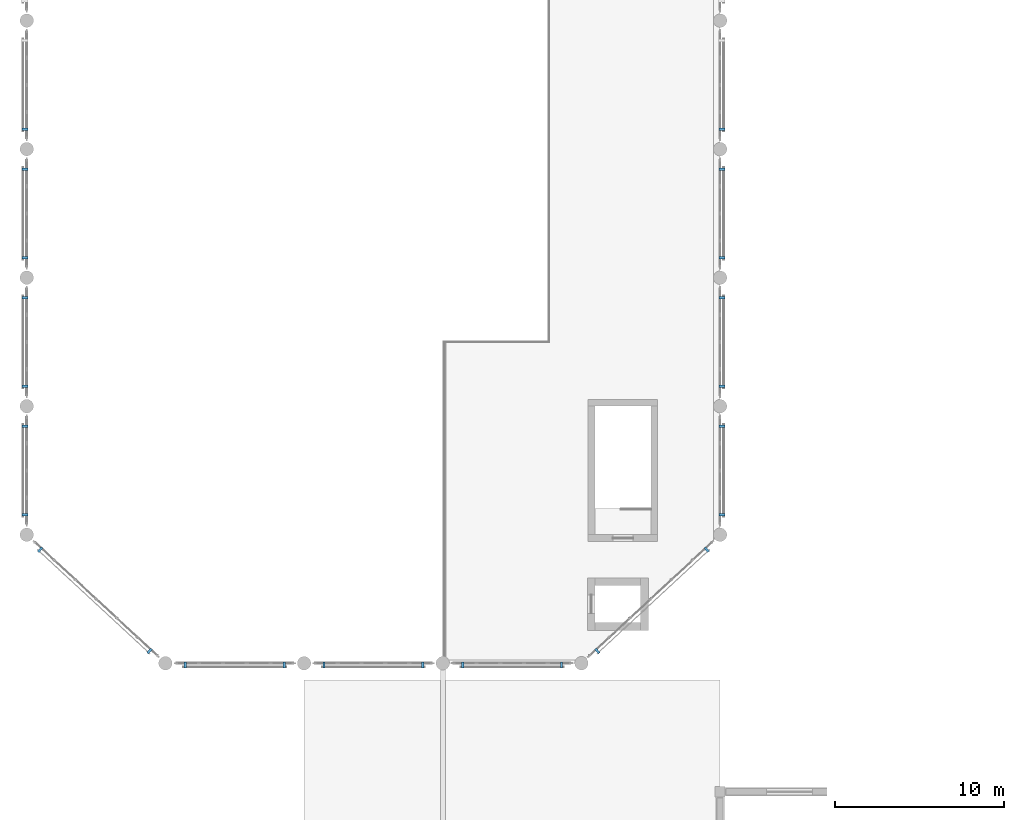
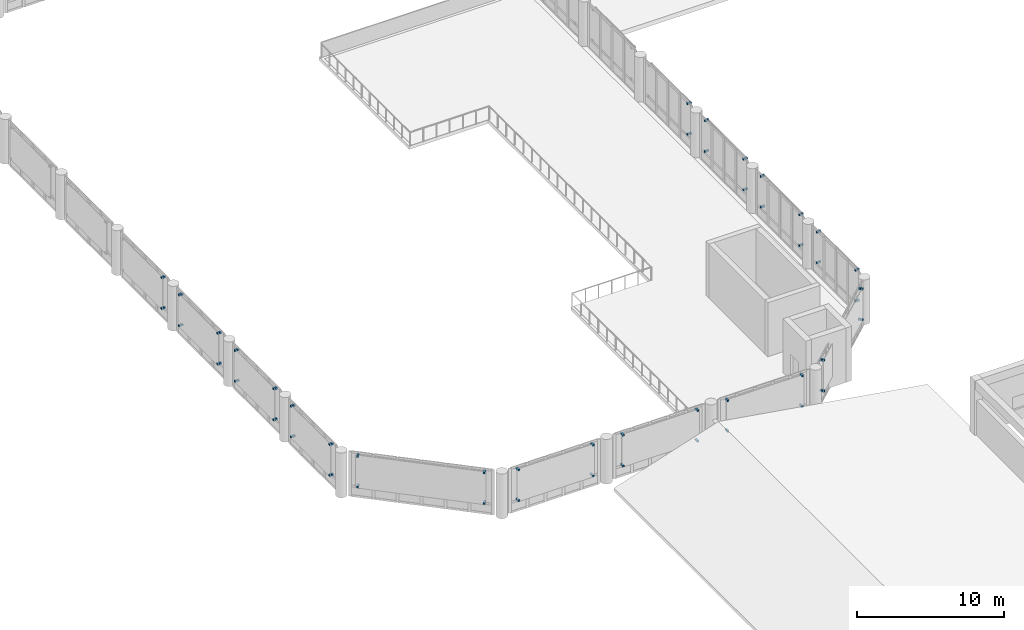
# One storey, part 41 of 49: 48 discrete accessories.
"""IFC4 building model written with IfcOpenShell, lengths in metres."""

from ifc_helpers import new_model, si_unit, direction, frame, origin, origin_2d, place, context, subcontext, project, spatial, rectangle, extrude, material, type_object, element, save


model = new_model("IFC4")

# Units and contexts
model_context = context("Model", 3, precision=1e-05, world=origin(), true_north=direction((0.0, 1.0)))
body_context = subcontext(model_context, "Body", "Model", "MODEL_VIEW")
ifc_project = project(units=[si_unit("LENGTHUNIT", "METRE"), si_unit("AREAUNIT", "SQUARE_METRE"), si_unit("VOLUMEUNIT", "CUBIC_METRE"), si_unit("PLANEANGLEUNIT", "RADIAN"), si_unit("MASSUNIT", "GRAM", prefix="KILO")], contexts=[model_context])

# Site, building, storey
site_placement = place(None, origin())
site = spatial("IfcSite", under=ifc_project, at=site_placement, CompositionType="ELEMENT")
building_placement = place(site_placement, origin())
building = spatial("IfcBuilding", under=site, at=building_placement, Name="Qandaris Square Conservatory and Botanical Centre", CompositionType="ELEMENT")
storey_placement = place(building_placement, frame((0.0, 0.0, 10.199951171875)))
storey = spatial("IfcBuildingStorey", under=building, at=storey_placement, Name="L02", CompositionType="ELEMENT", Elevation=10.199951171875)

# Discrete accessories
ifc_material = material(Name="Steel S355", Category="steel")
discrete_accessory_type = type_object("IfcDiscreteAccessoryType", Name="Mashrabiya Support Outrigger Bracket", PredefinedType="BRACKET", material=ifc_material)
for number, where, z_axis, x_axis, name in (
    (1, (25.580078125, 46.889892578125, 0.89990234375), (0.0, 0.0, 1.0), (1.0, 0.0, 0.0), "Mashrabiya Bracket CW-CON-L02-1-1-BRK-6-112"),
    (2, (25.580078125, 46.889892578125, 3.4501953125), (0.0, 0.0, 1.0), (1.0, 0.0, 0.0), "Mashrabiya Bracket CW-CON-L02-1-1-BRK-6-137"),
    (3, (31.419921875, 46.889892578125, 0.89990234375), (0.0, 0.0, 1.0), (1.0, 0.0, 0.0), "Mashrabiya Bracket CW-CON-L02-1-1-BRK-64-112"),
    (4, (31.419921875, 46.889892578125, 3.4501953125), (0.0, 0.0, 1.0), (1.0, 0.0, 0.0), "Mashrabiya Bracket CW-CON-L02-1-1-BRK-64-137"),
    (5, (33.780029296875, 46.889892578125, 0.89990234375), (0.0, 0.0, 1.0), (1.0, 0.0, 0.0), "Mashrabiya Bracket CW-CON-L02-1-2-BRK-6-112"),
    (6, (33.780029296875, 46.889892578125, 3.4501953125), (0.0, 0.0, 1.0), (1.0, 0.0, 0.0), "Mashrabiya Bracket CW-CON-L02-1-2-BRK-6-137"),
    (7, (39.6201171875, 46.889892578125, 0.89990234375), (0.0, 0.0, 1.0), (1.0, 0.0, 0.0), "Mashrabiya Bracket CW-CON-L02-1-2-BRK-64-112"),
    (8, (39.6201171875, 46.889892578125, 3.4501953125), (0.0, 0.0, 1.0), (1.0, 0.0, 0.0), "Mashrabiya Bracket CW-CON-L02-1-2-BRK-64-137"),
    (9, (41.97998046875, 46.889892578125, 0.89990234375), (0.0, 0.0, 1.0), (1.0, 0.0, 0.0), "Mashrabiya Bracket CW-CON-L02-1-3-BRK-6-112"),
    (10, (41.97998046875, 46.889892578125, 3.4501953125), (0.0, 0.0, 1.0), (1.0, 0.0, 0.0), "Mashrabiya Bracket CW-CON-L02-1-3-BRK-6-137"),
    (11, (47.820068359375, 46.889892578125, 0.89990234375), (0.0, 0.0, 1.0), (1.0, 0.0, 0.0), "Mashrabiya Bracket CW-CON-L02-1-3-BRK-64-112"),
    (12, (47.820068359375, 46.889892578125, 3.4501953125), (0.0, 0.0, 1.0), (1.0, 0.0, 0.0), "Mashrabiya Bracket CW-CON-L02-1-3-BRK-64-137"),
    (13, (49.940185546875, 47.721435546875, 0.89990234375), (0.0, 0.0, 1.0), (0.733432966404, 0.679761784592, 0.0), "Mashrabiya Bracket CW-CON-L02-2-1-BRK-6-112"),
    (14, (49.940185546875, 47.721435546875, 3.4501953125), (0.0, 0.0, 1.0), (0.733432966404, 0.679761784592, 0.0), "Mashrabiya Bracket CW-CON-L02-2-1-BRK-6-137"),
    (15, (56.4091796875, 53.71728515625, 0.89990234375), (0.0, 0.0, 1.0), (0.733432966404, 0.679761784592, 0.0), "Mashrabiya Bracket CW-CON-L02-2-1-BRK-94-112"),
    (16, (56.4091796875, 53.71728515625, 3.4501953125), (0.0, 0.0, 1.0), (0.733432966404, 0.679761784592, 0.0), "Mashrabiya Bracket CW-CON-L02-2-1-BRK-94-137"),
    (17, (57.31005859375, 55.780029296875, 0.89990234375), (0.0, 0.0, 1.0), (0.0, 1.0, 0.0), "Mashrabiya Bracket CW-CON-L02-3-1-BRK-6-112"),
    (18, (57.31005859375, 55.780029296875, 3.4501953125), (0.0, 0.0, 1.0), (0.0, 1.0, 0.0), "Mashrabiya Bracket CW-CON-L02-3-1-BRK-6-137"),
    (19, (57.31005859375, 61.02001953125, 0.89990234375), (0.0, 0.0, 1.0), (0.0, 1.0, 0.0), "Mashrabiya Bracket CW-CON-L02-3-1-BRK-58-112"),
    (20, (57.31005859375, 61.02001953125, 3.4501953125), (0.0, 0.0, 1.0), (0.0, 1.0, 0.0), "Mashrabiya Bracket CW-CON-L02-3-1-BRK-58-137"),
    (21, (57.31005859375, 63.3798828125, 0.89990234375), (0.0, 0.0, 1.0), (0.0, 1.0, 0.0), "Mashrabiya Bracket CW-CON-L02-3-2-BRK-6-112"),
    (22, (57.31005859375, 63.3798828125, 3.4501953125), (0.0, 0.0, 1.0), (0.0, 1.0, 0.0), "Mashrabiya Bracket CW-CON-L02-3-2-BRK-6-137"),
    (23, (57.31005859375, 68.6201171875, 0.89990234375), (0.0, 0.0, 1.0), (0.0, 1.0, 0.0), "Mashrabiya Bracket CW-CON-L02-3-2-BRK-58-112"),
    (24, (57.31005859375, 68.6201171875, 3.4501953125), (0.0, 0.0, 1.0), (0.0, 1.0, 0.0), "Mashrabiya Bracket CW-CON-L02-3-2-BRK-58-137"),
    (25, (57.31005859375, 70.97998046875, 0.89990234375), (0.0, 0.0, 1.0), (0.0, 1.0, 0.0), "Mashrabiya Bracket CW-CON-L02-3-3-BRK-6-112"),
    (26, (57.31005859375, 70.97998046875, 3.4501953125), (0.0, 0.0, 1.0), (0.0, 1.0, 0.0), "Mashrabiya Bracket CW-CON-L02-3-3-BRK-6-137"),
    (27, (57.31005859375, 76.219970703125, 0.89990234375), (0.0, 0.0, 1.0), (0.0, 1.0, 0.0), "Mashrabiya Bracket CW-CON-L02-3-3-BRK-58-112"),
    (28, (57.31005859375, 76.219970703125, 3.4501953125), (0.0, 0.0, 1.0), (0.0, 1.0, 0.0), "Mashrabiya Bracket CW-CON-L02-3-3-BRK-58-137"),
    (29, (57.31005859375, 78.580078125, 0.89990234375), (0.0, 0.0, 1.0), (0.0, 1.0, 0.0), "Mashrabiya Bracket CW-CON-L02-3-4-BRK-6-112"),
    (30, (57.31005859375, 78.580078125, 3.4501953125), (0.0, 0.0, 1.0), (0.0, 1.0, 0.0), "Mashrabiya Bracket CW-CON-L02-3-4-BRK-6-137"),
    (31, (16.090087890625, 78.580078125, 0.89990234375), (0.0, 0.0, 1.0), (0.0, -1.0, 0.0), "Mashrabiya Bracket CW-CON-L02-7-4-BRK-58-112"),
    (32, (16.090087890625, 78.580078125, 3.4501953125), (0.0, 0.0, 1.0), (0.0, -1.0, 0.0), "Mashrabiya Bracket CW-CON-L02-7-4-BRK-58-137"),
    (33, (16.090087890625, 76.219970703125, 0.89990234375), (0.0, 0.0, 1.0), (0.0, -1.0, 0.0), "Mashrabiya Bracket CW-CON-L02-7-5-BRK-6-112"),
    (34, (16.090087890625, 76.219970703125, 3.4501953125), (0.0, 0.0, 1.0), (0.0, -1.0, 0.0), "Mashrabiya Bracket CW-CON-L02-7-5-BRK-6-137"),
    (35, (16.090087890625, 70.97998046875, 0.89990234375), (0.0, 0.0, 1.0), (0.0, -1.0, 0.0), "Mashrabiya Bracket CW-CON-L02-7-5-BRK-58-112"),
    (36, (16.090087890625, 70.97998046875, 3.4501953125), (0.0, 0.0, 1.0), (0.0, -1.0, 0.0), "Mashrabiya Bracket CW-CON-L02-7-5-BRK-58-137"),
    (37, (16.090087890625, 68.6201171875, 0.89990234375), (0.0, 0.0, 1.0), (0.0, -1.0, 0.0), "Mashrabiya Bracket CW-CON-L02-7-6-BRK-6-112"),
    (38, (16.090087890625, 68.6201171875, 3.4501953125), (0.0, 0.0, 1.0), (0.0, -1.0, 0.0), "Mashrabiya Bracket CW-CON-L02-7-6-BRK-6-137"),
    (39, (16.090087890625, 63.3798828125, 0.89990234375), (0.0, 0.0, 1.0), (0.0, -1.0, 0.0), "Mashrabiya Bracket CW-CON-L02-7-6-BRK-58-112"),
    (40, (16.090087890625, 63.3798828125, 3.4501953125), (0.0, 0.0, 1.0), (0.0, -1.0, 0.0), "Mashrabiya Bracket CW-CON-L02-7-6-BRK-58-137"),
    (41, (16.090087890625, 61.02001953125, 0.89990234375), (0.0, 0.0, 1.0), (0.0, -1.0, 0.0), "Mashrabiya Bracket CW-CON-L02-7-7-BRK-6-112"),
    (42, (16.090087890625, 61.02001953125, 3.4501953125), (0.0, 0.0, 1.0), (0.0, -1.0, 0.0), "Mashrabiya Bracket CW-CON-L02-7-7-BRK-6-137"),
    (43, (16.090087890625, 55.780029296875, 0.89990234375), (0.0, 0.0, 1.0), (0.0, -1.0, 0.0), "Mashrabiya Bracket CW-CON-L02-7-7-BRK-58-112"),
    (44, (16.090087890625, 55.780029296875, 3.4501953125), (0.0, 0.0, 1.0), (0.0, -1.0, 0.0), "Mashrabiya Bracket CW-CON-L02-7-7-BRK-58-137"),
    (45, (16.99072265625, 53.71728515625, 0.89990234375), (0.0, 0.0, 1.0), (0.733432966404, -0.679761784592, 0.0), "Mashrabiya Bracket CW-CON-L02-8-1-BRK-6-112"),
    (46, (16.99072265625, 53.71728515625, 3.4501953125), (0.0, 0.0, 1.0), (0.733432966404, -0.679761784592, 0.0), "Mashrabiya Bracket CW-CON-L02-8-1-BRK-6-137"),
    (47, (23.459716796875, 47.721435546875, 0.89990234375), (0.0, 0.0, 1.0), (0.733432966404, -0.679761784592, 0.0), "Mashrabiya Bracket CW-CON-L02-8-1-BRK-94-112"),
    (48, (23.459716796875, 47.721435546875, 3.4501953125), (0.0, 0.0, 1.0), (0.733432966404, -0.679761784592, 0.0), "Mashrabiya Bracket CW-CON-L02-8-1-BRK-94-137"),
):
    element("IfcDiscreteAccessory", number, at=place(storey_placement, frame(where, z_axis=z_axis, x_axis=x_axis)), inside=storey, type_object=discrete_accessory_type, Name=name, PredefinedType="BRACKET", context=body_context, shape_type="SweptSolid", body=[
        extrude(rectangle(XDim=0.139892578125, YDim=0.340087890625, at=origin_2d()), origin(), (0.0, 0.0, 1.0), 0.139892578125),
    ])

save(model, "model.ifc")
